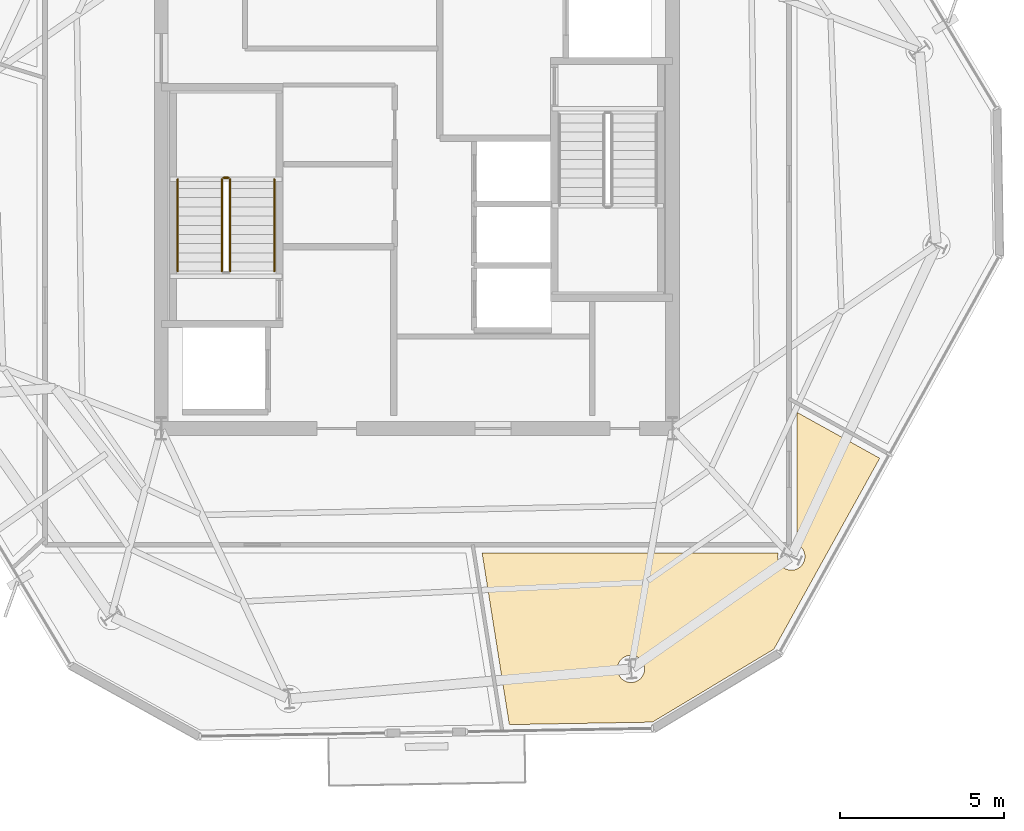
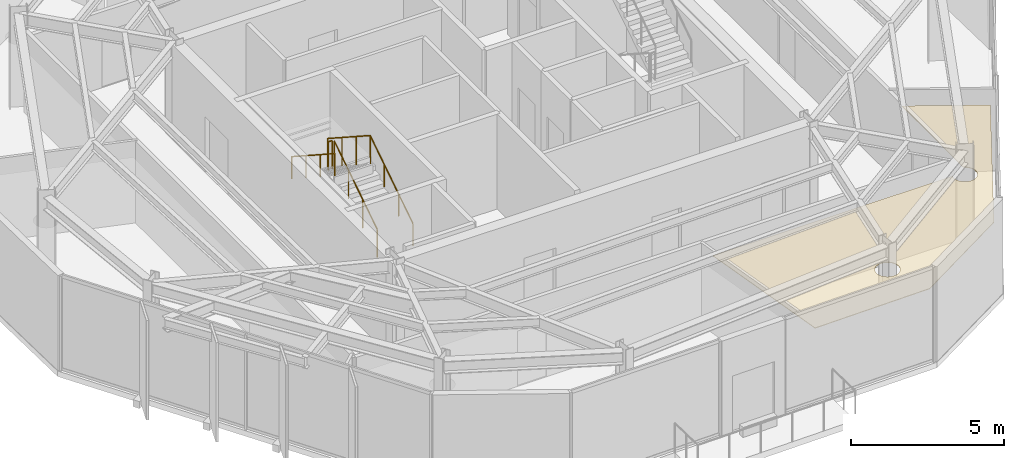
# One storey, part 10 of 12: 5 railings, 1 covering.
"""IFC4 building model written with IfcOpenShell, lengths in metres."""

import ifcopenshell
import ifcopenshell.guid

model = None  # the IFC model being written
_history = None  # IfcOwnerHistory: only IFC2X3 demands one
_inside = {}  # id of a spatial element -> (the spatial element, [elements in it])
_under = {}  # id of a project, library or spatial element -> (it, [spatial elements below it])
_declared = {}  # id of a project -> (the project, [libraries it declares])
_typed = {}  # id of a type object -> (the type object, [elements of that type])
_made_of = {}  # id of a material, layer set ... -> (it, [elements and type objects made of it])


def new_model(schema):
    """Start an empty IFC model of exactly this schema.

    Asked for "IFC4X3", IfcOpenShell would pick the latest addendum, in which some entities
    have other attributes; the version numbers below select the first issue.
    IFC2X3 requires an IfcOwnerHistory on every rooted entity: one is made here for all.
    """
    global model, _history
    if schema == "IFC4X3":
        model = ifcopenshell.file(schema_version=(4, 3, 0, 0))
    else:
        model = ifcopenshell.file(schema=schema)
    _inside.clear()
    _under.clear()
    _declared.clear()
    _typed.clear()
    _made_of.clear()
    _history = None
    if model.schema == "IFC2X3":
        org = make("IfcOrganization", Name="unknown")
        user = make(
            "IfcPersonAndOrganization",
            ThePerson=make("IfcPerson", FamilyName="unknown"),
            TheOrganization=org,
        )
        app = make(
            "IfcApplication",
            ApplicationDeveloper=org,
            Version="unknown",
            ApplicationFullName="unknown",
            ApplicationIdentifier="unknown",
        )
        _history = make(
            "IfcOwnerHistory",
            OwningUser=user,
            OwningApplication=app,
            ChangeAction="ADDED",
            CreationDate=0,
        )
    return model


def make(cls, **values):
    """One entity of the class cls with the attributes given. An attribute that is None is left unset."""
    return model.create_entity(
        cls, **{name: value for name, value in values.items() if value is not None}
    )


def rooted(cls, **values):
    """An entity with a GlobalId (a new one), such as an element, a storey or a relation."""
    return make(cls, GlobalId=ifcopenshell.guid.new(), OwnerHistory=_history, **values)


def si_unit(unit_type, name, prefix=None):
    """IfcSIUnit, for example si_unit("LENGTHUNIT", "METRE", prefix="MILLI")."""
    return make("IfcSIUnit", UnitType=unit_type, Prefix=prefix, Name=name)


def assignment(units):
    """IfcUnitAssignment: the units of a project."""
    return None if units is None else make("IfcUnitAssignment", Units=units)


def point(xyz):
    """IfcCartesianPoint."""
    return None if xyz is None else make("IfcCartesianPoint", Coordinates=xyz)


def direction(xyz):
    """IfcDirection."""
    return None if xyz is None else make("IfcDirection", DirectionRatios=xyz)


def frame(location, z_axis=None, x_axis=None):
    """IfcAxis2Placement3D, a coordinate frame: its origin and axes. An axis left out is left unset."""
    return make(
        "IfcAxis2Placement3D",
        Location=point(location),
        Axis=direction(z_axis),
        RefDirection=direction(x_axis),
    )


def frame_2d(location, x_axis=None):
    """IfcAxis2Placement2D, a coordinate frame in the plane: its origin and x axis."""
    return make(
        "IfcAxis2Placement2D", Location=point(location), RefDirection=direction(x_axis)
    )


def origin():
    """The frame at (0, 0, 0) with its axes left unset."""
    return frame((0.0, 0.0, 0.0))


def origin_2d():
    """The frame at (0, 0) in the plane with its x axis left unset."""
    return frame_2d((0.0, 0.0))


def place(relative_to, where):
    """IfcLocalPlacement: puts the frame where relative to a parent placement (None: the world)."""
    return make(
        "IfcLocalPlacement", PlacementRelTo=relative_to, RelativePlacement=where
    )


def context(
    kind, dimensions, precision=None, world=None, true_north=None, identifier=None
):
    """IfcGeometricRepresentationContext, for example the 3D "Model" context."""
    return make(
        "IfcGeometricRepresentationContext",
        ContextIdentifier=identifier,
        ContextType=kind,
        CoordinateSpaceDimension=dimensions,
        Precision=precision,
        WorldCoordinateSystem=world,
        TrueNorth=true_north,
    )


def subcontext(parent, identifier, kind, view, scale=None):
    """IfcGeometricRepresentationSubContext, for example "Body" below "Model"."""
    return make(
        "IfcGeometricRepresentationSubContext",
        ContextIdentifier=identifier,
        ContextType=kind,
        ParentContext=parent,
        TargetScale=scale,
        TargetView=view,
    )


def project(units=None, contexts=None):
    """IfcProject with its units and contexts."""
    return rooted(
        "IfcProject",
        Name="project",
        RepresentationContexts=contexts,
        UnitsInContext=assignment(units),
    )


def spatial(cls, under=None, at=None, **own):
    """A site, building, storey or space (cls), placed at a placement, below another one or the project."""
    s = rooted(cls, ObjectPlacement=at, **own)
    if under is not None:
        _under.setdefault(under.id(), (under, []))[1].append(s)
    return s


def polyline(points):
    """IfcPolyline through the points."""
    return make("IfcPolyline", Points=[point(p) for p in points])


def profile(cls, at=None, kind="AREA", **sizes):
    """A parametric profile (cls). Its sizes go by their IFC names, for example OverallWidth=200.0."""
    return make(cls, ProfileType=kind, Position=at, **sizes)


def circle(**sizes):
    """IfcCircleProfileDef."""
    return profile("IfcCircleProfileDef", **sizes)


def outline(outer, holes=None, kind="AREA"):
    """IfcArbitraryClosedProfileDef: a profile drawn as a closed curve; with holes, ...WithVoids."""
    if holes is None:
        return make("IfcArbitraryClosedProfileDef", ProfileType=kind, OuterCurve=outer)
    return make(
        "IfcArbitraryProfileDefWithVoids",
        ProfileType=kind,
        OuterCurve=outer,
        InnerCurves=holes,
    )


def extrude(swept, where, along, depth):
    """IfcExtrudedAreaSolid: the profile swept, set in the frame where, extruded along a direction by depth."""
    return make(
        "IfcExtrudedAreaSolid",
        SweptArea=swept,
        Position=where,
        ExtrudedDirection=direction(along),
        Depth=depth,
    )


def shape(context_of_items, identifier, shape_type, items):
    """IfcShapeRepresentation: the items that make up one representation, for example the "Body"."""
    return make(
        "IfcShapeRepresentation",
        ContextOfItems=context_of_items,
        RepresentationIdentifier=identifier,
        RepresentationType=shape_type,
        Items=items,
    )


def material(Name=None, Category=None):
    """IfcMaterial."""
    return make("IfcMaterial", Name=Name, Category=Category)


def layer(
    of_material, thickness, ventilated=None, Name=None, Category=None, Priority=None
):
    """IfcMaterialLayer: one layer of a wall or slab, of a material (None: an air gap)."""
    return make(
        "IfcMaterialLayer",
        Material=of_material,
        LayerThickness=thickness,
        IsVentilated=ventilated,
        Name=Name,
        Category=Category,
        Priority=Priority,
    )


def layer_set(layers, Name=None):
    """IfcMaterialLayerSet."""
    return make("IfcMaterialLayerSet", MaterialLayers=layers, LayerSetName=Name)


def made_of(thing, what):
    """Note that an element or type object is made of a material, layer set ...; save() writes the relation."""
    if what is not None:
        _made_of.setdefault(what.id(), (what, []))[1].append(thing)
    return thing


def type_object(cls, material=None, **own):
    """A type object (cls), such as IfcWallType, which elements share."""
    return made_of(rooted(cls, **own), material)


def element(
    cls,
    number,
    at=None,
    inside=None,
    cuts=None,
    type_object=None,
    material=None,
    context=None,
    identifier="Body",
    shape_type=None,
    held_by="IfcProductDefinitionShape",
    body=None,
    shapes=None,
    **own,
):
    """One element of the class cls, such as IfcWall. Its Tag is "e" and its number.

    at: its placement. inside: the storey or other place that contains it. cuts: it is an
    opening in that element (IfcRelVoidsElement). A single representation is given by context,
    identifier, shape_type and body (its items); several are given by shapes. held_by: the class
    of the entity that holds the representations. save() writes the other relations.
    """
    e = rooted(cls, Tag="e%d" % number, ObjectPlacement=at, **own)
    if body is not None:
        shapes = [shape(context, identifier, shape_type, body)]
    if shapes is not None:
        e.Representation = make(held_by, Representations=shapes)
    if inside is not None:
        _inside.setdefault(inside.id(), (inside, []))[1].append(e)
    if cuts is not None:
        rooted(
            "IfcRelVoidsElement", RelatingBuildingElement=cuts, RelatedOpeningElement=e
        )
    if type_object is not None:
        _typed.setdefault(type_object.id(), (type_object, []))[1].append(e)
    return made_of(e, material)


def aggregate(whole, parts):
    """IfcRelAggregates: a whole, such as a stair, and the parts it consists of."""
    return rooted("IfcRelAggregates", RelatingObject=whole, RelatedObjects=parts)


def save(model, path):
    """Write the relations noted so far, then the file.

    IfcRelAggregates (storeys below a building ...), IfcRelContainedInSpatialStructure (elements
    in a storey), IfcRelDefinesByType, IfcRelAssociatesMaterial and IfcRelDeclares: one each for
    every whole, place, type object, material and project.
    """
    for whole, parts in _under.values():
        aggregate(whole, parts)
    for where, things in _inside.values():
        rooted(
            "IfcRelContainedInSpatialStructure",
            RelatedElements=things,
            RelatingStructure=where,
        )
    for kind, things in _typed.values():
        rooted("IfcRelDefinesByType", RelatedObjects=things, RelatingType=kind)
    for what, things in _made_of.values():
        rooted("IfcRelAssociatesMaterial", RelatedObjects=things, RelatingMaterial=what)
    for by, libraries in _declared.values():
        rooted("IfcRelDeclares", RelatingContext=by, RelatedDefinitions=libraries)
    model.write(path)


model = new_model("IFC4")

# Units and contexts
model_context = context("Model", 3, precision=1e-05, world=origin(), true_north=direction((0.0, 1.0)))
body_context = subcontext(model_context, "Body", "Model", "MODEL_VIEW")
ifc_project = project(units=[si_unit("LENGTHUNIT", "METRE"), si_unit("AREAUNIT", "SQUARE_METRE"), si_unit("VOLUMEUNIT", "CUBIC_METRE"), si_unit("PLANEANGLEUNIT", "RADIAN"), si_unit("MASSUNIT", "GRAM", prefix="KILO")], contexts=[model_context])

# Site, building, storey
site_placement = place(None, origin())
site = spatial("IfcSite", under=ifc_project, at=site_placement, CompositionType="ELEMENT")
building_placement = place(site_placement, origin())
building = spatial("IfcBuilding", under=site, at=building_placement, Name="Kranzbogen Civic Tower", CompositionType="ELEMENT")
storey_placement = place(building_placement, frame((0.0, 0.0, 270.199951171875)))
storey = spatial("IfcBuildingStorey", under=building, at=storey_placement, Name="L65", CompositionType="ELEMENT", Elevation=270.199951171875)

# Railings
ifc_material_1 = material(Name="Steel S355", Category="steel")
railing_type_1 = type_object("IfcRailingType", Name="Internal Stair and Void Steel Guardrail 1150", PredefinedType="GUARDRAIL", material=ifc_material_1)
railing_1_placement = place(storey_placement, frame((19.300048828125, 22.60009765625, 0.181884765625)))
element("IfcRailing", 1, at=railing_1_placement, inside=storey, type_object=railing_type_1, Name="L65 ST-T1 stair guard 1", PredefinedType="GUARDRAIL", context=body_context, shape_type="SweptSolid", body=[
    extrude(circle(Radius=0.02392578125, at=origin_2d()), frame((0.0, 0.0, 1.1259765625), z_axis=(0.0, 0.83868413941, 0.544618136222), x_axis=(-1.0, 0.0, 0.0)), (0.0, 0.0, 1.0), 3.33837890625),
    extrude(circle(Radius=0.02099609375, at=origin_2d()), origin(), (0.0, 0.0, 1.0), 1.101806640625),
    extrude(circle(Radius=0.02099609375, at=origin_2d()), frame((0.0, 0.933349609375, 0.60595703125)), (0.0, 0.0, 1.0), 1.101806640625),
    extrude(circle(Radius=0.02099609375, at=origin_2d()), frame((0.0, 1.866455078125, 1.212158203125)), (0.0, 0.0, 1.0), 1.101806640625),
    extrude(circle(Radius=0.02099609375, at=origin_2d()), frame((0.0, 2.7998046875, 1.818115234375)), (0.0, 0.0, 1.0), 1.101806640625),
])
railing_2_placement = place(storey_placement, frame((19.25, 25.449951171875, 2.0)))
element("IfcRailing", 2, at=railing_2_placement, inside=storey, type_object=railing_type_1, Name="L65 ST-T1 stair guard 2", PredefinedType="GUARDRAIL", context=body_context, shape_type="SweptSolid", body=[
    extrude(circle(Radius=0.02392578125, at=origin_2d()), frame((0.0, 0.0, 1.1259765625), z_axis=(-1.0, 0.0, 0.0), x_axis=(0.0, -1.0, 0.0)), (0.0, 0.0, 1.0), 0.14990234375),
    extrude(circle(Radius=0.02099609375, at=origin_2d()), origin(), (0.0, 0.0, 1.0), 1.101806640625),
    extrude(circle(Radius=0.02099609375, at=origin_2d()), frame((-0.14990234375, 0.0, 0.0)), (0.0, 0.0, 1.0), 1.101806640625),
])
railing_3_placement = place(storey_placement, frame((19.050048828125, 25.39990234375, 2.181884765625)))
element("IfcRailing", 3, at=railing_3_placement, inside=storey, type_object=railing_type_1, Name="L65 ST-T1 stair guard 3", PredefinedType="GUARDRAIL", context=body_context, shape_type="SweptSolid", body=[
    extrude(circle(Radius=0.02392578125, at=origin_2d()), frame((0.0, 0.0, 1.1259765625), z_axis=(0.0, -0.83868413941, 0.544618136222), x_axis=(1.0, 0.0, 0.0)), (0.0, 0.0, 1.0), 3.33837890625),
    extrude(circle(Radius=0.02099609375, at=origin_2d()), origin(), (0.0, 0.0, 1.0), 1.101806640625),
    extrude(circle(Radius=0.02099609375, at=origin_2d()), frame((0.0, -0.933349609375, 0.60595703125)), (0.0, 0.0, 1.0), 1.101806640625),
    extrude(circle(Radius=0.02099609375, at=origin_2d()), frame((0.0, -1.866455078125, 1.212158203125)), (0.0, 0.0, 1.0), 1.101806640625),
    extrude(circle(Radius=0.02099609375, at=origin_2d()), frame((0.0, -2.7998046875, 1.818115234375)), (0.0, 0.0, 1.0), 1.101806640625),
])

# Covering
ifc_material_2 = material(Name="Perforated Acoustic Gypsum Ceiling")
ifc_layer = layer(ifc_material_2, 0.02490234375, Name="Perforated Acoustic Gypsum Ceiling")
ifc_layer_set = layer_set([ifc_layer], Name="Perforated Acoustic Gypsum Ceiling")
covering_type = type_object("IfcCoveringType", Name="Perforated Acoustic Mineral Ceiling Tile 25 mm", PredefinedType="CEILING", material=ifc_layer_set)
covering_placement = place(storey_placement, frame((0.0, 0.0, 2.75)))
element("IfcCovering", 4, at=covering_placement, inside=storey, type_object=covering_type, Name="L65 Duty Crew Control Room acoustic ceiling", PredefinedType="CEILING", context=body_context, shape_type="SweptSolid", body=[
    extrude(outline(polyline([(32.18701171875, 8.839111328125), (27.821044921875, 8.762939453125), (26.989990234375, 14.0048828125), (36.02587890625, 14.0048828125), (36.01806640625, 13.970947265625), (36.011962890625, 13.930908203125), (36.010009765625, 13.889892578125), (36.011962890625, 13.84912109375), (36.01806640625, 13.80908203125), (36.027099609375, 13.76904296875), (36.041015625, 13.73095703125), (36.05908203125, 13.694091796875), (36.080078125, 13.658935546875), (36.10400390625, 13.6259765625), (36.131103515625, 13.595947265625), (36.160888671875, 13.569091796875), (36.194091796875, 13.544921875), (36.22900390625, 13.52392578125), (36.26611328125, 13.506103515625), (36.303955078125, 13.491943359375), (36.343994140625, 13.48291015625), (36.384033203125, 13.47705078125), (36.425048828125, 13.47509765625), (36.466064453125, 13.47705078125), (36.506103515625, 13.48291015625), (36.5458984375, 13.491943359375), (36.583984375, 13.506103515625), (36.62109375, 13.52392578125), (36.656005859375, 13.544921875), (36.68896484375, 13.569091796875), (36.718994140625, 13.595947265625), (36.74609375, 13.6259765625), (36.77001953125, 13.658935546875), (36.791015625, 13.694091796875), (36.80908203125, 13.73095703125), (36.822998046875, 13.76904296875), (36.83203125, 13.80908203125), (36.837890625, 13.84912109375), (36.840087890625, 13.889892578125), (36.837890625, 13.930908203125), (36.83203125, 13.970947265625), (36.822998046875, 14.010986328125), (36.80908203125, 14.049072265625), (36.791015625, 14.0859375), (36.77001953125, 14.12109375), (36.74609375, 14.154052734375), (36.718994140625, 14.18408203125), (36.68896484375, 14.2109375), (36.656005859375, 14.235107421875), (36.62109375, 14.256103515625), (36.594970703125, 14.26904296875), (36.594970703125, 18.29296875), (39.123046875, 16.89111328125), (35.89501953125, 11.068115234375), (32.18701171875, 8.839111328125)]), holes=[polyline([(31.9169921875, 10.304931640625), (31.89892578125, 10.26806640625), (31.8779296875, 10.23291015625), (31.85400390625, 10.199951171875), (31.826904296875, 10.169921875), (31.797119140625, 10.14306640625), (31.763916015625, 10.118896484375), (31.72900390625, 10.097900390625), (31.69189453125, 10.080078125), (31.654052734375, 10.06591796875), (31.614013671875, 10.056884765625), (31.573974609375, 10.051025390625), (31.532958984375, 10.049072265625), (31.491943359375, 10.051025390625), (31.451904296875, 10.056884765625), (31.412109375, 10.06591796875), (31.3740234375, 10.080078125), (31.3369140625, 10.097900390625), (31.302001953125, 10.118896484375), (31.26904296875, 10.14306640625), (31.239013671875, 10.169921875), (31.2119140625, 10.199951171875), (31.18798828125, 10.23291015625), (31.1669921875, 10.26806640625), (31.14892578125, 10.304931640625), (31.135009765625, 10.343017578125), (31.1259765625, 10.383056640625), (31.1201171875, 10.423095703125), (31.117919921875, 10.464111328125), (31.1201171875, 10.5048828125), (31.1259765625, 10.544921875), (31.135009765625, 10.5849609375), (31.14892578125, 10.623046875), (31.1669921875, 10.659912109375), (31.18798828125, 10.695068359375), (31.2119140625, 10.72802734375), (31.239013671875, 10.758056640625), (31.26904296875, 10.784912109375), (31.302001953125, 10.80908203125), (31.3369140625, 10.830078125), (31.3740234375, 10.847900390625), (31.412109375, 10.862060546875), (31.451904296875, 10.87109375), (31.491943359375, 10.876953125), (31.532958984375, 10.87890625), (31.573974609375, 10.876953125), (31.614013671875, 10.87109375), (31.654052734375, 10.862060546875), (31.69189453125, 10.847900390625), (31.72900390625, 10.830078125), (31.763916015625, 10.80908203125), (31.797119140625, 10.784912109375), (31.826904296875, 10.758056640625), (31.85400390625, 10.72802734375), (31.8779296875, 10.695068359375), (31.89892578125, 10.659912109375), (31.9169921875, 10.623046875), (31.930908203125, 10.5849609375), (31.93994140625, 10.544921875), (31.946044921875, 10.5048828125), (31.947998046875, 10.464111328125), (31.946044921875, 10.423095703125), (31.93994140625, 10.383056640625), (31.930908203125, 10.343017578125), (31.9169921875, 10.304931640625)])]), origin(), (0.0, 0.0, 1.0), 0.025146484375),
])

# Railings
ifc_material_3 = material(Name="Pale Anodised Aluminium", Category="aluminium")
railing_type_2 = type_object("IfcRailingType", Name="Tubular Stainless Stair Wall Handrail 900", PredefinedType="HANDRAIL", material=ifc_material_3)
railing_4_placement = place(storey_placement, frame((20.64990234375, 22.60009765625, 0.181884765625)))
element("IfcRailing", 5, at=railing_4_placement, inside=storey, type_object=railing_type_2, Name="L65 ST-T1 stair handrail 1", PredefinedType="HANDRAIL", context=body_context, shape_type="SweptSolid", body=[
    extrude(circle(Radius=0.02392578125, at=origin_2d()), frame((0.0, 0.0, 0.8759765625), z_axis=(0.0, 0.83868413941, 0.544618136222), x_axis=(-1.0, 0.0, 0.0)), (0.0, 0.0, 1.0), 3.33837890625),
    extrude(circle(Radius=0.02099609375, at=origin_2d()), origin(), (0.0, 0.0, 1.0), 0.851806640625),
    extrude(circle(Radius=0.02099609375, at=origin_2d()), frame((0.0, 0.933349609375, 0.60595703125)), (0.0, 0.0, 1.0), 0.851806640625),
    extrude(circle(Radius=0.02099609375, at=origin_2d()), frame((0.0, 1.866455078125, 1.212158203125)), (0.0, 0.0, 1.0), 0.851806640625),
    extrude(circle(Radius=0.02099609375, at=origin_2d()), frame((0.0, 2.7998046875, 1.818115234375)), (0.0, 0.0, 1.0), 0.851806640625),
])
railing_5_placement = place(storey_placement, frame((17.699951171875, 25.39990234375, 2.181884765625)))
element("IfcRailing", 6, at=railing_5_placement, inside=storey, type_object=railing_type_2, Name="L65 ST-T1 stair handrail 2", PredefinedType="HANDRAIL", context=body_context, shape_type="SweptSolid", body=[
    extrude(circle(Radius=0.02392578125, at=origin_2d()), frame((0.0, 0.0, 0.8759765625), z_axis=(0.0, -0.83868413941, 0.544618136222), x_axis=(1.0, 0.0, 0.0)), (0.0, 0.0, 1.0), 3.33837890625),
    extrude(circle(Radius=0.02099609375, at=origin_2d()), origin(), (0.0, 0.0, 1.0), 0.851806640625),
    extrude(circle(Radius=0.02099609375, at=origin_2d()), frame((0.0, -0.933349609375, 0.60595703125)), (0.0, 0.0, 1.0), 0.851806640625),
    extrude(circle(Radius=0.02099609375, at=origin_2d()), frame((0.0, -1.866455078125, 1.212158203125)), (0.0, 0.0, 1.0), 0.851806640625),
    extrude(circle(Radius=0.02099609375, at=origin_2d()), frame((0.0, -2.7998046875, 1.818115234375)), (0.0, 0.0, 1.0), 0.851806640625),
])

save(model, "model.ifc")
